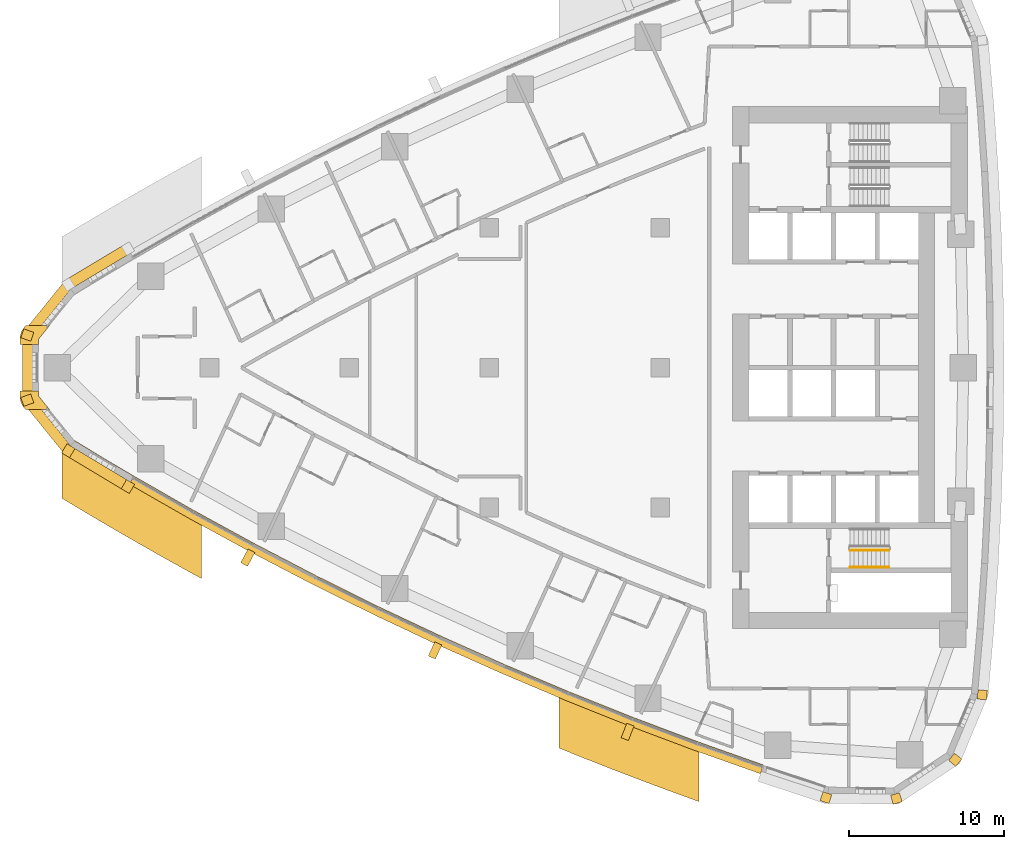
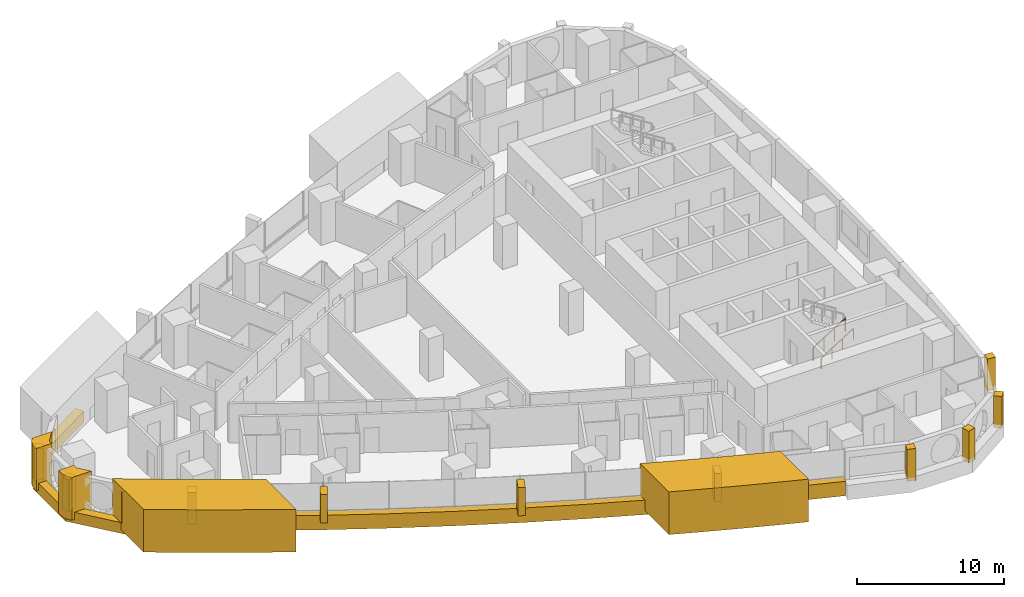
# One storey, part 14 of 17: 17 coverings, 2 railings.
"""IFC4 building model written with IfcOpenShell, lengths in metres."""

from ifc_helpers import new_model, si_unit, direction, frame, frame_2d, origin, origin_2d, place, context, subcontext, project, spatial, polyline, rectangle, circle, outline, extrude, material, layer, layer_set, type_object, element, save


model = new_model("IFC4")

# Units and contexts
model_context = context("Model", 3, precision=1e-05, world=origin(), true_north=direction((0.0, 1.0)))
body_context = subcontext(model_context, "Body", "Model", "MODEL_VIEW")
ifc_project = project(units=[si_unit("LENGTHUNIT", "METRE"), si_unit("AREAUNIT", "SQUARE_METRE"), si_unit("VOLUMEUNIT", "CUBIC_METRE"), si_unit("PLANEANGLEUNIT", "RADIAN"), si_unit("MASSUNIT", "GRAM", prefix="KILO")], contexts=[model_context])

# Site, building, storey
site_placement = place(None, origin())
site = spatial("IfcSite", under=ifc_project, at=site_placement, CompositionType="ELEMENT")
building_placement = place(site_placement, origin())
building = spatial("IfcBuilding", under=site, at=building_placement, Name="Ostrand Prow Hotel Tower", CompositionType="ELEMENT")
storey_placement = place(building_placement, frame((0.0, 0.0, 113.300048828125)))
storey = spatial("IfcBuildingStorey", under=building, at=storey_placement, Name="L27", CompositionType="ELEMENT", Elevation=113.300048828125)

# Coverings
ifc_material_1 = material(Name="Bronze anodised aluminium cladding", Category="aluminium")
ifc_layer_1 = layer(ifc_material_1, 0.60009765625)
ifc_layer_set_1 = layer_set([ifc_layer_1], Name="Bronze anodised aluminium cladding")
covering_type_1 = type_object("IfcCoveringType", Name="Bronze prow band 899x600", PredefinedType="CLADDING", material=ifc_layer_set_1)
covering_1_placement = place(storey_placement, frame((0.0, 0.0, -0.300048828125)))
element("IfcCovering", 1, at=covering_1_placement, inside=storey, type_object=covering_type_1, Name="Bronze prow band", PredefinedType="CLADDING", context=body_context, shape_type="SweptSolid", body=[
    extrude(outline(polyline([(10.580810546875, 7.9453125), (6.734130859375, 5.637939453125), (3.957763671875, 2.206787109375), (3.957763671875, -2.206787109375), (6.734130859375, -5.637939453125), (10.580810546875, -7.9453125), (10.9248046875, -7.358642578125), (7.089599609375, -5.058349609375), (4.598876953125, -1.97998046875), (4.598876953125, 1.97998046875), (7.089599609375, 5.058349609375), (10.9248046875, 7.358642578125), (10.580810546875, 7.9453125)])), origin(), (0.0, 0.0, 1.0), 0.89990234375),
])
ifc_material_2 = material(Name="Bronze anodised aluminium cladding", Category="aluminium")
ifc_layer_2 = layer(ifc_material_2, 0.60009765625)
ifc_layer_set_2 = layer_set([ifc_layer_2], Name="Bronze anodised aluminium cladding")
covering_type_2 = type_object("IfcCoveringType", Name="Bronze spandrel band 1200x600", PredefinedType="CLADDING", material=ifc_layer_set_2)
covering_2_placement = place(storey_placement, frame((0.0, 0.0, -0.300048828125)))
element("IfcCovering", 2, at=covering_2_placement, inside=storey, type_object=covering_type_2, Name="Spandrel band S1", PredefinedType="CLADDING", context=body_context, shape_type="SweptSolid", body=[
    extrude(outline(polyline([(10.841064453125, -7.50146484375), (14.72412109375, -9.726318359375), (18.651123046875, -11.872802734375), (22.620361328125, -13.940185546875), (26.6298828125, -15.927734375), (30.6787109375, -17.834716796875), (34.764892578125, -19.659912109375), (38.88671875, -21.4033203125), (43.042724609375, -23.0634765625), (47.231201171875, -24.64013671875), (51.4501953125, -26.1328125), (51.644775390625, -25.56494140625), (47.43701171875, -24.076416015625), (43.259765625, -22.504150390625), (39.114990234375, -20.848388671875), (35.004150390625, -19.10986328125), (30.928955078125, -17.289306640625), (26.89111328125, -15.3876953125), (22.89208984375, -13.4052734375), (18.93359375, -11.343505859375), (15.01708984375, -9.20263671875), (11.144287109375, -6.98388671875), (10.841064453125, -7.50146484375)])), origin(), (0.0, 0.0, 1.0), 1.199951171875),
])
ifc_material_3 = material(Name="Limestone cladding", Category="masonry")
ifc_layer_3 = layer(ifc_material_3, 5.0)
ifc_layer_set_3 = layer_set([ifc_layer_3], Name="Limestone cladding")
covering_type_3 = type_object("IfcCoveringType", Name="Portal jamb pilaster limestone", PredefinedType="CLADDING", material=ifc_layer_set_3)
covering_3_placement = place(storey_placement, origin())
element("IfcCovering", 3, at=covering_3_placement, inside=storey, type_object=covering_type_3, Name="Portal jamb SA L27", PredefinedType="CLADDING", context=body_context, shape_type="SweptSolid", body=[
    extrude(outline(polyline([(6.5, -4.184326171875), (6.5, -8.40625), (7.5, -9.0087890625), (8.5, -9.604248046875), (9.5, -10.19287109375), (10.5, -10.7744140625), (11.5, -11.349365234375), (12.5, -11.91748046875), (13.5, -12.478759765625), (14.5, -13.03369140625), (15.5, -13.581787109375), (15.5, -9.47216796875), (14.5, -8.912353515625), (13.5, -8.345703125), (12.5, -7.772216796875), (11.5, -7.19189453125), (10.5, -6.6044921875), (9.5, -6.01025390625), (8.5, -5.40869140625), (7.5, -4.80029296875), (6.5, -4.184326171875)])), origin(), (0.0, 0.0, 1.0), 3.550048828125),
])
covering_4_placement = place(storey_placement, origin())
element("IfcCovering", 4, at=covering_4_placement, inside=storey, type_object=covering_type_3, Name="Portal jamb SB L27", PredefinedType="CLADDING", context=body_context, shape_type="SweptSolid", body=[
    extrude(outline(polyline([(38.5, -20.59423828125), (38.5, -24.486083984375), (39.5, -24.890380859375), (40.5, -25.2890625), (41.5, -25.68212890625), (42.5, -26.06982421875), (43.5, -26.4521484375), (44.5, -26.8291015625), (45.5, -27.200439453125), (46.5, -27.566650390625), (47.5, -27.927490234375), (47.5, -24.099609375), (46.5, -23.732177734375), (45.5, -23.359130859375), (44.5, -22.98095703125), (43.5, -22.59716796875), (42.5, -22.207763671875), (41.5, -21.812744140625), (40.5, -21.412353515625), (39.5, -21.006103515625), (38.5, -20.59423828125)])), origin(), (0.0, 0.0, 1.0), 3.550048828125),
])
ifc_material_4 = material(Name="Limestone cladding", Category="masonry")
ifc_layer_4 = layer(ifc_material_4, 0.5)
ifc_layer_set_4 = layer_set([ifc_layer_4], Name="Limestone cladding")
covering_type_4 = type_object("IfcCoveringType", Name="Precast stone fin 500x900", PredefinedType="CLADDING", material=ifc_layer_set_4)
for number, where, z_axis, x_axis, name in (
    (5, (18.6982421875, -11.78466796875, 0.89990234375), (0.0, 0.0, 1.0), (-0.470981038243, -0.882143333941, 0.0), "Stone fin S 3"),
    (6, (30.720458984375, -17.74365234375, 0.89990234375), (0.0, 0.0, 1.0), (-0.416982531796, -0.908914499927, 0.0), "Stone fin S 6"),
    (7, (43.0791015625, -22.97021484375, 0.89990234375), (0.0, 0.0, 1.0), (-0.361774694157, -0.932265558019, 0.0), "Stone fin S 9"),
):
    element("IfcCovering", number, at=place(storey_placement, frame(where, z_axis=z_axis, x_axis=x_axis)), inside=storey, type_object=covering_type_4, Name=name, PredefinedType="CLADDING", context=body_context, shape_type="SweptSolid", body=[
        extrude(rectangle(XDim=1.0, YDim=0.5, at=frame_2d((0.5, 0.0))), origin(), (0.0, 0.0, 1.0), 2.35009765625),
    ])
ifc_material_5 = material(Name="Limestone cladding", Category="masonry")
ifc_layer_5 = layer(ifc_material_5, 0.60009765625)
ifc_layer_set_5 = layer_set([ifc_layer_5], Name="Limestone cladding")
covering_type_5 = type_object("IfcCoveringType", Name="Precast stone prow rib 600x600", PredefinedType="CLADDING", material=ifc_layer_set_5)
for number, where, z_axis, x_axis, name in (
    (8, (4.598876953125, 1.97998046875, 0.599853515625), (0.0, 0.0, 1.0), (-0.942744850171, 0.333514838465, 0.0), "Stone prow rib 3"),
    (9, (4.598876953125, -1.97998046875, 0.599853515625), (0.0, 0.0, 1.0), (-0.942744850171, -0.333514838465, 0.0), "Stone prow rib 4"),
    (10, (7.089599609375, -5.058349609375, 0.599853515625), (0.0, 0.0, 1.0), (-0.522814637618, -0.852446394029, 0.0), "Stone prow rib 5"),
):
    element("IfcCovering", number, at=place(storey_placement, frame(where, z_axis=z_axis, x_axis=x_axis)), inside=storey, type_object=covering_type_5, Name=name, PredefinedType="CLADDING", context=body_context, shape_type="SweptSolid", body=[
        extrude(rectangle(XDim=0.679931640625, YDim=0.60009765625, at=frame_2d((0.33984375, 0.0))), origin(), (0.0, 0.0, 1.0), 2.650146484375),
    ])
covering_5_placement = place(storey_placement, frame((10.9248046875, -7.358642578125, 0.599853515625), z_axis=(0.0, 0.0, 1.0), x_axis=(-0.505811626043, -0.862643958397, 0.0)))
element("IfcCovering", 11, at=covering_5_placement, inside=storey, type_object=covering_type_5, Name="Stone prow rib 6", PredefinedType="CLADDING", context=body_context, shape_type="SweptSolid", body=[
    extrude(rectangle(XDim=0.68017578125, YDim=0.60009765625, at=frame_2d((0.340087890625, 0.0))), origin(), (0.0, 0.0, 1.0), 2.650146484375),
])
covering_6_placement = place(storey_placement, frame((55.7490234375, -27.3828125, 0.599853515625), z_axis=(0.0, 0.0, 1.0), x_axis=(-0.305218682065, -0.952282288042, 0.0)))
element("IfcCovering", 12, at=covering_6_placement, inside=storey, type_object=covering_type_5, Name="Stone corner rib 2a", PredefinedType="CLADDING", context=body_context, shape_type="SweptSolid", body=[
    extrude(rectangle(XDim=0.599853515625, YDim=0.60009765625, at=frame_2d((0.2998046875, 0.0))), origin(), (0.0, 0.0, 1.0), 2.650146484375),
])
covering_7_placement = place(storey_placement, frame((60.104736328125, -27.437744140625, 0.599853515625), z_axis=(0.0, 0.0, 1.0), x_axis=(0.280734221166, -0.959785547436, 0.0)))
element("IfcCovering", 13, at=covering_7_placement, inside=storey, type_object=covering_type_5, Name="Stone corner rib 3a", PredefinedType="CLADDING", context=body_context, shape_type="SweptSolid", body=[
    extrude(rectangle(XDim=0.60009765625, YDim=0.60009765625, at=frame_2d((0.300048828125, 0.0))), origin(), (0.0, 0.0, 1.0), 2.650146484375),
])
for number, where, z_axis, x_axis, name in (
    (14, (63.74365234375, -25.043212890625, 0.599853515625), (0.0, 0.0, 1.0), (0.770318500913, -0.637659319034, 0.0), "Stone corner rib 4a"),
    (15, (65.41650390625, -21.02099609375, 0.599853515625), (0.0, 0.0, 1.0), (0.99529571972, -0.096883591531, 0.0), "Stone corner rib 4b"),
):
    element("IfcCovering", number, at=place(storey_placement, frame(where, z_axis=z_axis, x_axis=x_axis)), inside=storey, type_object=covering_type_5, Name=name, PredefinedType="CLADDING", context=body_context, shape_type="SweptSolid", body=[
        extrude(rectangle(XDim=0.599853515625, YDim=0.60009765625, at=frame_2d((0.2998046875, 0.0))), origin(), (0.0, 0.0, 1.0), 2.650146484375),
    ])
ifc_material_6 = material(Name="Limestone cladding", Category="masonry")
ifc_layer_6 = layer(ifc_material_6, 3.0)
ifc_layer_set_6 = layer_set([ifc_layer_6], Name="Limestone cladding")
covering_type_6 = type_object("IfcCoveringType", Name="Prow nose pier limestone", PredefinedType="CLADDING", material=ifc_layer_set_6)
covering_8_placement = place(storey_placement, origin())
element("IfcCovering", 16, at=covering_8_placement, inside=storey, type_object=covering_type_6, Name="Prow spine fin N L27", PredefinedType="CLADDING", context=body_context, shape_type="SweptSolid", body=[
    extrude(outline(polyline([(3.808349609375, 1.8349609375), (3.808349609375, 1.5), (5.00830078125, 1.5), (5.00830078125, 1.8349609375), (5.708251953125, 2.699951171875), (4.16455078125, 2.699951171875), (4.075439453125, 2.58984375), (4.006591796875, 2.495849609375), (3.947265625, 2.3955078125), (3.897705078125, 2.289794921875), (3.85888671875, 2.179931640625), (3.830810546875, 2.06689453125), (3.81396484375, 1.951416015625), (3.808349609375, 1.8349609375)])), origin(), (0.0, 0.0, 1.0), 3.550048828125),
])
covering_9_placement = place(storey_placement, origin())
element("IfcCovering", 17, at=covering_9_placement, inside=storey, type_object=covering_type_6, Name="Prow spine fin S L27", PredefinedType="CLADDING", context=body_context, shape_type="SweptSolid", body=[
    extrude(outline(polyline([(4.075439453125, -2.58984375), (4.16455078125, -2.699951171875), (5.708251953125, -2.699951171875), (5.00830078125, -1.8349609375), (5.00830078125, -1.5), (3.808349609375, -1.5), (3.808349609375, -1.8349609375), (3.81396484375, -1.951416015625), (3.830810546875, -2.06689453125), (3.85888671875, -2.179931640625), (3.897705078125, -2.289794921875), (3.947265625, -2.3955078125), (4.006591796875, -2.495849609375), (4.075439453125, -2.58984375)])), origin(), (0.0, 0.0, 1.0), 3.550048828125),
])

# Railings
ifc_material_7 = material(Name="Painted steel", Category="steel")
railing_type_1 = type_object("IfcRailingType", Name="Stair guard 1100", PredefinedType="GUARDRAIL", material=ifc_material_7)
railing_1_placement = place(storey_placement, frame((57.199951171875, -11.75, 0.177490234375)))
element("IfcRailing", 18, at=railing_1_placement, inside=storey, type_object=railing_type_1, Name="L27 ST2C stair guard 1", PredefinedType="GUARDRAIL", context=body_context, shape_type="SweptSolid", body=[
    extrude(circle(Radius=0.02392578125, at=origin_2d()), frame((0.0, 0.0, 1.076171875), z_axis=(0.84460694969, 0.0, 0.535386869969), x_axis=(0.0, 1.0, 0.0)), (0.0, 0.0, 1.0), 2.983642578125),
    extrude(circle(Radius=0.02099609375, at=origin_2d()), origin(), (0.0, 0.0, 1.0), 1.052001953125),
    extrude(circle(Radius=0.02099609375, at=origin_2d()), frame((0.840087890625, 0.0, 0.532470703125)), (0.0, 0.0, 1.0), 1.052001953125),
    extrude(circle(Radius=0.02099609375, at=origin_2d()), frame((1.679931640625, 0.0, 1.06494140625)), (0.0, 0.0, 1.0), 1.052001953125),
    extrude(circle(Radius=0.02099609375, at=origin_2d()), frame((2.52001953125, 0.0, 1.597412109375)), (0.0, 0.0, 1.0), 1.052001953125),
])
ifc_material_8 = material(Name="Stainless steel", Category="steel")
railing_type_2 = type_object("IfcRailingType", Name="Stair handrail 900", PredefinedType="HANDRAIL", material=ifc_material_8)
railing_2_placement = place(storey_placement, frame((57.199951171875, -12.85009765625, 0.177490234375)))
element("IfcRailing", 19, at=railing_2_placement, inside=storey, type_object=railing_type_2, Name="L27 ST2C stair handrail 1", PredefinedType="HANDRAIL", context=body_context, shape_type="SweptSolid", body=[
    extrude(circle(Radius=0.02392578125, at=origin_2d()), frame((0.0, 0.0, 0.8759765625), z_axis=(0.84460694969, 0.0, 0.535386869969), x_axis=(0.0, 1.0, 0.0)), (0.0, 0.0, 1.0), 2.983642578125),
    extrude(circle(Radius=0.02099609375, at=origin_2d()), origin(), (0.0, 0.0, 1.0), 0.851806640625),
    extrude(circle(Radius=0.02099609375, at=origin_2d()), frame((0.840087890625, 0.0, 0.532470703125)), (0.0, 0.0, 1.0), 0.851806640625),
    extrude(circle(Radius=0.02099609375, at=origin_2d()), frame((1.679931640625, 0.0, 1.06494140625)), (0.0, 0.0, 1.0), 0.851806640625),
    extrude(circle(Radius=0.02099609375, at=origin_2d()), frame((2.52001953125, 0.0, 1.597412109375)), (0.0, 0.0, 1.0), 0.851806640625),
])

save(model, "model.ifc")
